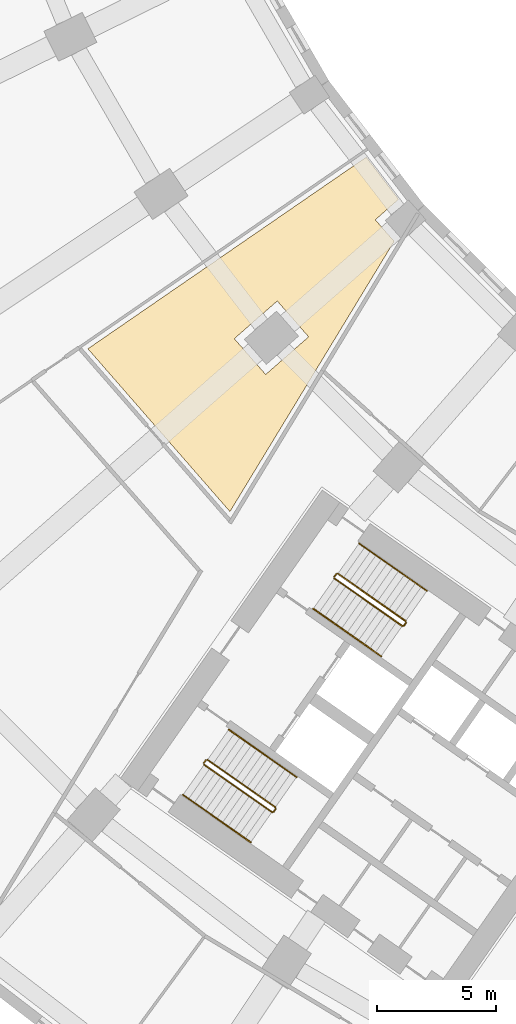
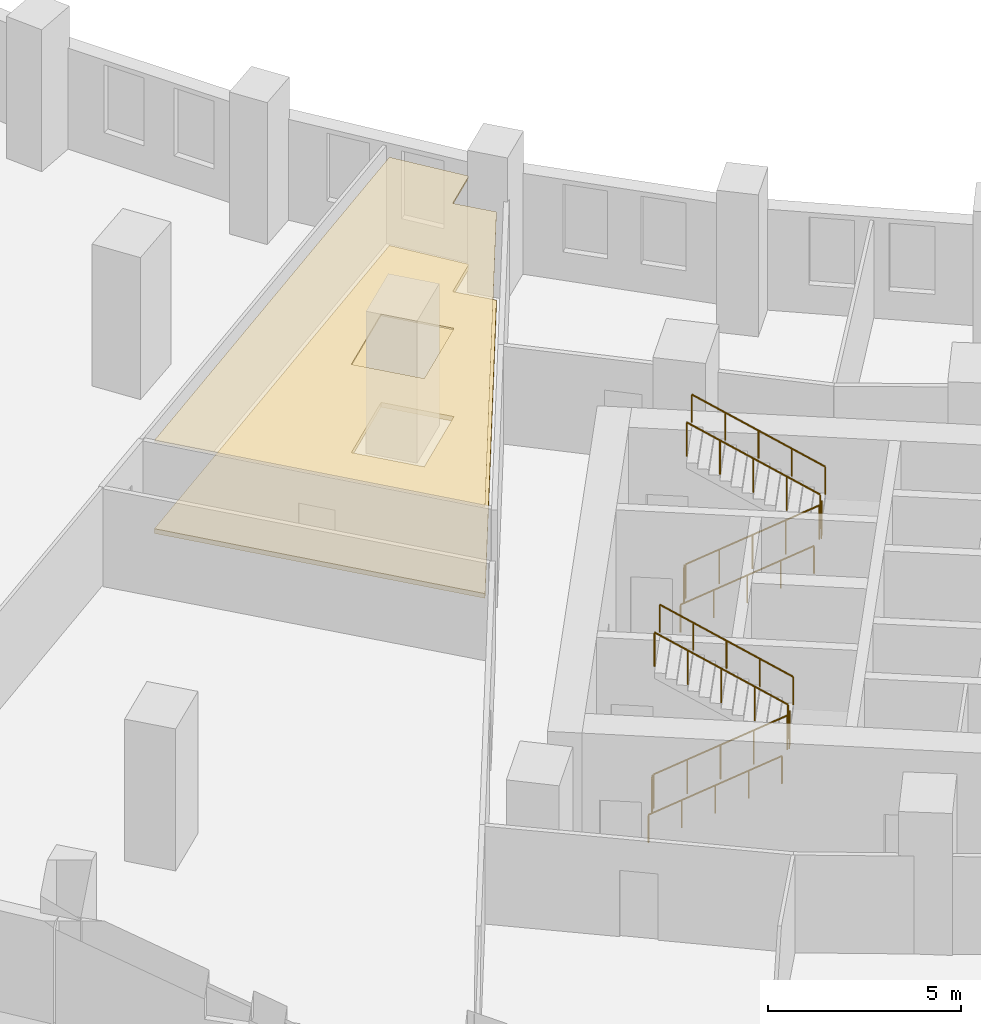
# One storey, part 16 of 19: 10 railings, 2 coverings.
"""IFC4 building model written with IfcOpenShell, lengths in metres."""

from ifc_helpers import new_model, si_unit, direction, frame, origin, origin_2d, place, context, subcontext, project, spatial, polyline, circle, outline, extrude, material, layer, layer_set, type_object, element, save


model = new_model("IFC4")

# Units and contexts
model_context = context("Model", 3, precision=1e-05, world=origin(), true_north=direction((0.0, 1.0)))
body_context = subcontext(model_context, "Body", "Model", "MODEL_VIEW")
ifc_project = project(units=[si_unit("LENGTHUNIT", "METRE"), si_unit("AREAUNIT", "SQUARE_METRE"), si_unit("VOLUMEUNIT", "CUBIC_METRE"), si_unit("PLANEANGLEUNIT", "RADIAN"), si_unit("MASSUNIT", "GRAM", prefix="KILO")], contexts=[model_context])

# Site, building, storey
site_placement = place(None, origin())
site = spatial("IfcSite", under=ifc_project, at=site_placement, CompositionType="ELEMENT")
building_placement = place(site_placement, origin())
building = spatial("IfcBuilding", under=site, at=building_placement, Name="Qamariyya Broadcast Tower", CompositionType="ELEMENT")
storey_placement = place(building_placement, frame((0.0, 0.0, 36.0)))
storey = spatial("IfcBuildingStorey", under=building, at=storey_placement, Name="L05", CompositionType="ELEMENT", Elevation=36.0)

# Covering
ifc_material_1 = material(Name="Raised access floor")
ifc_layer_1 = layer(ifc_material_1, 0.14990234375)
ifc_layer_set_1 = layer_set([ifc_layer_1], Name="Raised access floor 150")
covering_type_1 = type_object("IfcCoveringType", Name="Raised access floor 150", PredefinedType="FLOORING", material=ifc_layer_set_1)
covering_1_placement = place(storey_placement, origin())
element("IfcCovering", 1, at=covering_1_placement, inside=storey, type_object=covering_type_1, Name="Flooring L05-F04", PredefinedType="FLOORING", context=body_context, shape_type="SweptSolid", body=[
    extrude(outline(polyline([(-51.509033203125, -38.87109375), (-39.809814453125, -30.817138671875), (-38.449951171875, -32.589111328125), (-39.4306640625, -33.44921875), (-38.63818359375, -34.3525390625), (-45.539306640625, -45.7138671875), (-51.509033203125, -38.87109375)]), holes=[polyline([(-43.5517578125, -36.86376953125), (-45.356201171875, -38.4462890625), (-44.03759765625, -39.949951171875), (-42.233154296875, -38.367431640625), (-43.5517578125, -36.86376953125)])]), origin(), (0.0, 0.0, 1.0), 0.14990234375),
])

# Railings
ifc_material_2 = material(Name="Painted steel", Category="steel")
railing_type_1 = type_object("IfcRailingType", Name="Stair guard", PredefinedType="GUARDRAIL", material=ifc_material_2)
railing_1_placement = place(storey_placement, frame((-41.146728515625, -48.52490234375, 0.173095703125)))
element("IfcRailing", 2, at=railing_1_placement, inside=storey, type_object=railing_type_1, Name="L05 ST-W2 stair guard 1", PredefinedType="GUARDRAIL", context=body_context, shape_type="SweptSolid", body=[
    extrude(circle(Radius=0.02392578125, at=origin_2d()), frame((0.0, 0.0, 1.076171875), z_axis=(0.703423072377, -0.49252265477, 0.512462111562), x_axis=(0.573561211868, 0.819162704376, 0.0)), (0.0, 0.0, 1.0), 4.052734375),
    extrude(circle(Radius=0.02392578125, at=origin_2d()), frame((2.850830078125, -1.99609375, 3.15283203125), z_axis=(0.984363469884, 0.176149252506, 0.0), x_axis=(-0.176149252506, 0.984363469884, 0.0)), (0.0, 0.0, 1.0), 0.07080078125),
    extrude(circle(Radius=0.02392578125, at=origin_2d()), frame((2.92041015625, -1.983642578125, 3.15283203125), z_axis=(0.573353020881, 0.819308436089, 0.0), x_axis=(-0.819308436089, 0.573353020881, 0.0)), (0.0, 0.0, 1.0), 0.14990234375),
    extrude(circle(Radius=0.02099609375, at=origin_2d()), origin(), (0.0, 0.0, 1.0), 1.052001953125),
    extrude(circle(Radius=0.02099609375, at=origin_2d()), frame((0.712646484375, -0.4990234375, 0.519287109375)), (0.0, 0.0, 1.0), 1.052001953125),
    extrude(circle(Radius=0.02099609375, at=origin_2d()), frame((1.42529296875, -0.998046875, 1.03857421875)), (0.0, 0.0, 1.0), 1.052001953125),
    extrude(circle(Radius=0.02099609375, at=origin_2d()), frame((2.13818359375, -1.4970703125, 1.5576171875)), (0.0, 0.0, 1.0), 1.052001953125),
    extrude(circle(Radius=0.02099609375, at=origin_2d()), frame((2.850830078125, -1.99609375, 2.076904296875)), (0.0, 0.0, 1.0), 1.052001953125),
    extrude(circle(Radius=0.02099609375, at=origin_2d()), frame((2.92041015625, -1.983642578125, 2.076904296875)), (0.0, 0.0, 1.0), 1.052001953125),
    extrude(circle(Radius=0.02099609375, at=origin_2d()), frame((3.00634765625, -1.86083984375, 2.076904296875)), (0.0, 0.0, 1.0), 1.052001953125),
])
railing_2_placement = place(storey_placement, frame((-38.152587890625, -50.316162109375, 2.423095703125)))
element("IfcRailing", 3, at=railing_2_placement, inside=storey, type_object=railing_type_1, Name="L05 ST-W2 stair guard 2", PredefinedType="GUARDRAIL", context=body_context, shape_type="SweptSolid", body=[
    extrude(circle(Radius=0.02392578125, at=origin_2d()), frame((0.0, 0.0, 1.076171875), z_axis=(-0.703392637411, 0.492543525477, 0.512483827206), x_axis=(-0.573594173421, -0.819139624372, 0.0)), (0.0, 0.0, 1.0), 4.052734375),
    extrude(circle(Radius=0.02099609375, at=origin_2d()), origin(), (0.0, 0.0, 1.0), 1.052001953125),
    extrude(circle(Radius=0.02099609375, at=origin_2d()), frame((-0.712646484375, 0.4990234375, 0.519287109375)), (0.0, 0.0, 1.0), 1.052001953125),
    extrude(circle(Radius=0.02099609375, at=origin_2d()), frame((-1.42529296875, 0.998046875, 1.03857421875)), (0.0, 0.0, 1.0), 1.052001953125),
    extrude(circle(Radius=0.02099609375, at=origin_2d()), frame((-2.137939453125, 1.4970703125, 1.5576171875)), (0.0, 0.0, 1.0), 1.052001953125),
    extrude(circle(Radius=0.02099609375, at=origin_2d()), frame((-2.8505859375, 1.99609375, 2.076904296875)), (0.0, 0.0, 1.0), 1.052001953125),
])
railing_3_placement = place(storey_placement, frame((-41.158935546875, -48.455322265625, 0.0)))
element("IfcRailing", 4, at=railing_3_placement, inside=storey, type_object=railing_type_1, Name="L05 ST-W2 stair guard 3", PredefinedType="GUARDRAIL", context=body_context, shape_type="SweptSolid", body=[
    extrude(circle(Radius=0.02392578125, at=origin_2d()), frame((0.0, 0.0, 1.076171875), z_axis=(0.572588637393, 0.819842821722, 0.0), x_axis=(-0.819842821722, 0.572588637393, 0.0)), (0.0, 0.0, 1.0), 0.150146484375),
    extrude(circle(Radius=0.02099609375, at=origin_2d()), origin(), (0.0, 0.0, 1.0), 1.052001953125),
    extrude(circle(Radius=0.02099609375, at=origin_2d()), frame((0.0859375, 0.123046875, 0.0)), (0.0, 0.0, 1.0), 1.052001953125),
])
railing_4_placement = place(storey_placement, frame((-46.624267578125, -56.34765625, 0.173095703125)))
element("IfcRailing", 5, at=railing_4_placement, inside=storey, type_object=railing_type_1, Name="L05 ST-W1 stair guard 1", PredefinedType="GUARDRAIL", context=body_context, shape_type="SweptSolid", body=[
    extrude(circle(Radius=0.02392578125, at=origin_2d()), frame((0.0, 0.0, 1.076171875), z_axis=(0.703392637411, -0.492543525477, 0.512483827206), x_axis=(0.573594173421, 0.819139624372, 0.0)), (0.0, 0.0, 1.0), 4.052734375),
    extrude(circle(Radius=0.02392578125, at=origin_2d()), frame((2.8505859375, -1.99609375, 3.15283203125), z_axis=(0.984957024646, 0.172799478008, 0.0), x_axis=(-0.172799478008, 0.984957024646, 0.0)), (0.0, 0.0, 1.0), 0.070556640625),
    extrude(circle(Radius=0.02392578125, at=origin_2d()), frame((2.920166015625, -1.98388671875, 3.15283203125), z_axis=(0.574444878118, 0.818543268254, 0.0), x_axis=(-0.818543268254, 0.574444878118, 0.0)), (0.0, 0.0, 1.0), 0.150146484375),
    extrude(circle(Radius=0.02099609375, at=origin_2d()), origin(), (0.0, 0.0, 1.0), 1.052001953125),
    extrude(circle(Radius=0.02099609375, at=origin_2d()), frame((0.712646484375, -0.4990234375, 0.519287109375)), (0.0, 0.0, 1.0), 1.052001953125),
    extrude(circle(Radius=0.02099609375, at=origin_2d()), frame((1.42529296875, -0.998046875, 1.03857421875)), (0.0, 0.0, 1.0), 1.052001953125),
    extrude(circle(Radius=0.02099609375, at=origin_2d()), frame((2.137939453125, -1.4970703125, 1.5576171875)), (0.0, 0.0, 1.0), 1.052001953125),
    extrude(circle(Radius=0.02099609375, at=origin_2d()), frame((2.8505859375, -1.99609375, 2.076904296875)), (0.0, 0.0, 1.0), 1.052001953125),
    extrude(circle(Radius=0.02099609375, at=origin_2d()), frame((2.920166015625, -1.98388671875, 2.076904296875)), (0.0, 0.0, 1.0), 1.052001953125),
    extrude(circle(Radius=0.02099609375, at=origin_2d()), frame((3.00634765625, -1.861083984375, 2.076904296875)), (0.0, 0.0, 1.0), 1.052001953125),
])
railing_5_placement = place(storey_placement, frame((-43.63037109375, -58.138916015625, 2.423095703125)))
element("IfcRailing", 6, at=railing_5_placement, inside=storey, type_object=railing_type_1, Name="L05 ST-W1 stair guard 2", PredefinedType="GUARDRAIL", context=body_context, shape_type="SweptSolid", body=[
    extrude(circle(Radius=0.02392578125, at=origin_2d()), frame((0.0, 0.0, 1.076171875), z_axis=(-0.703413508203, 0.492497895646, 0.512499033426), x_axis=(-0.57354709673, -0.81917258733, 0.0)), (0.0, 0.0, 1.0), 4.052490234375),
    extrude(circle(Radius=0.02099609375, at=origin_2d()), origin(), (0.0, 0.0, 1.0), 1.052001953125),
    extrude(circle(Radius=0.02099609375, at=origin_2d()), frame((-0.712646484375, 0.4990234375, 0.519287109375)), (0.0, 0.0, 1.0), 1.052001953125),
    extrude(circle(Radius=0.02099609375, at=origin_2d()), frame((-1.42529296875, 0.998046875, 1.03857421875)), (0.0, 0.0, 1.0), 1.052001953125),
    extrude(circle(Radius=0.02099609375, at=origin_2d()), frame((-2.137939453125, 1.496826171875, 1.5576171875)), (0.0, 0.0, 1.0), 1.052001953125),
    extrude(circle(Radius=0.02099609375, at=origin_2d()), frame((-2.8505859375, 1.995849609375, 2.076904296875)), (0.0, 0.0, 1.0), 1.052001953125),
])
railing_6_placement = place(storey_placement, frame((-46.63671875, -56.278076171875, 0.0)))
element("IfcRailing", 7, at=railing_6_placement, inside=storey, type_object=railing_type_1, Name="L05 ST-W1 stair guard 3", PredefinedType="GUARDRAIL", context=body_context, shape_type="SweptSolid", body=[
    extrude(circle(Radius=0.02392578125, at=origin_2d()), frame((0.0, 0.0, 1.076171875), z_axis=(0.574444878118, 0.818543268254, 0.0), x_axis=(-0.818543268254, 0.574444878118, 0.0)), (0.0, 0.0, 1.0), 0.150146484375),
    extrude(circle(Radius=0.02099609375, at=origin_2d()), origin(), (0.0, 0.0, 1.0), 1.052001953125),
    extrude(circle(Radius=0.02099609375, at=origin_2d()), frame((0.086181640625, 0.122802734375, 0.0)), (0.0, 0.0, 1.0), 1.052001953125),
])
ifc_material_3 = material(Name="Stainless steel", Category="steel")
railing_type_2 = type_object("IfcRailingType", Name="Stair handrail", PredefinedType="HANDRAIL", material=ifc_material_3)
railing_7_placement = place(storey_placement, frame((-42.03564453125, -49.79443359375, 0.173095703125)))
element("IfcRailing", 8, at=railing_7_placement, inside=storey, type_object=railing_type_2, Name="L05 ST-W2 stair handrail 1", PredefinedType="HANDRAIL", context=body_context, shape_type="SweptSolid", body=[
    extrude(circle(Radius=0.02392578125, at=origin_2d()), frame((0.0, 0.0, 0.8759765625), z_axis=(0.703392637411, -0.492543525477, 0.512483827206), x_axis=(0.573594173421, 0.819139624372, 0.0)), (0.0, 0.0, 1.0), 4.052734375),
    extrude(circle(Radius=0.02099609375, at=origin_2d()), origin(), (0.0, 0.0, 1.0), 0.851806640625),
    extrude(circle(Radius=0.02099609375, at=origin_2d()), frame((0.712646484375, -0.4990234375, 0.519287109375)), (0.0, 0.0, 1.0), 0.851806640625),
    extrude(circle(Radius=0.02099609375, at=origin_2d()), frame((1.42529296875, -0.998046875, 1.03857421875)), (0.0, 0.0, 1.0), 0.851806640625),
    extrude(circle(Radius=0.02099609375, at=origin_2d()), frame((2.137939453125, -1.4970703125, 1.5576171875)), (0.0, 0.0, 1.0), 0.851806640625),
    extrude(circle(Radius=0.02099609375, at=origin_2d()), frame((2.8505859375, -1.99609375, 2.076904296875)), (0.0, 0.0, 1.0), 0.851806640625),
])
railing_8_placement = place(storey_placement, frame((-37.263671875, -49.04638671875, 2.423095703125)))
element("IfcRailing", 9, at=railing_8_placement, inside=storey, type_object=railing_type_2, Name="L05 ST-W2 stair handrail 2", PredefinedType="HANDRAIL", context=body_context, shape_type="SweptSolid", body=[
    extrude(circle(Radius=0.02392578125, at=origin_2d()), frame((0.0, 0.0, 0.8759765625), z_axis=(-0.703392637411, 0.492543525477, 0.512483827206), x_axis=(-0.573594173421, -0.819139624372, 0.0)), (0.0, 0.0, 1.0), 4.052734375),
    extrude(circle(Radius=0.02099609375, at=origin_2d()), origin(), (0.0, 0.0, 1.0), 0.851806640625),
    extrude(circle(Radius=0.02099609375, at=origin_2d()), frame((-0.712646484375, 0.4990234375, 0.519287109375)), (0.0, 0.0, 1.0), 0.851806640625),
    extrude(circle(Radius=0.02099609375, at=origin_2d()), frame((-1.42529296875, 0.998046875, 1.03857421875)), (0.0, 0.0, 1.0), 0.851806640625),
    extrude(circle(Radius=0.02099609375, at=origin_2d()), frame((-2.137939453125, 1.4970703125, 1.5576171875)), (0.0, 0.0, 1.0), 0.851806640625),
    extrude(circle(Radius=0.02099609375, at=origin_2d()), frame((-2.8505859375, 1.99609375, 2.076904296875)), (0.0, 0.0, 1.0), 0.851806640625),
])
railing_9_placement = place(storey_placement, frame((-47.513427734375, -57.617431640625, 0.173095703125)))
element("IfcRailing", 10, at=railing_9_placement, inside=storey, type_object=railing_type_2, Name="L05 ST-W1 stair handrail 1", PredefinedType="HANDRAIL", context=body_context, shape_type="SweptSolid", body=[
    extrude(circle(Radius=0.02392578125, at=origin_2d()), frame((0.0, 0.0, 0.8759765625), z_axis=(0.703423072377, -0.49252265477, 0.512462111562), x_axis=(0.573561211868, 0.819162704376, 0.0)), (0.0, 0.0, 1.0), 4.052734375),
    extrude(circle(Radius=0.02099609375, at=origin_2d()), origin(), (0.0, 0.0, 1.0), 0.851806640625),
    extrude(circle(Radius=0.02099609375, at=origin_2d()), frame((0.712646484375, -0.4990234375, 0.519287109375)), (0.0, 0.0, 1.0), 0.851806640625),
    extrude(circle(Radius=0.02099609375, at=origin_2d()), frame((1.42529296875, -0.998046875, 1.03857421875)), (0.0, 0.0, 1.0), 0.851806640625),
    extrude(circle(Radius=0.02099609375, at=origin_2d()), frame((2.13818359375, -1.4970703125, 1.5576171875)), (0.0, 0.0, 1.0), 0.851806640625),
    extrude(circle(Radius=0.02099609375, at=origin_2d()), frame((2.850830078125, -1.99609375, 2.076904296875)), (0.0, 0.0, 1.0), 0.851806640625),
])
railing_10_placement = place(storey_placement, frame((-42.7412109375, -56.869384765625, 2.423095703125)))
element("IfcRailing", 11, at=railing_10_placement, inside=storey, type_object=railing_type_2, Name="L05 ST-W1 stair handrail 2", PredefinedType="HANDRAIL", context=body_context, shape_type="SweptSolid", body=[
    extrude(circle(Radius=0.02392578125, at=origin_2d()), frame((0.0, 0.0, 0.8759765625), z_axis=(-0.703392637411, 0.492543525477, 0.512483827206), x_axis=(-0.573594173421, -0.819139624372, 0.0)), (0.0, 0.0, 1.0), 4.052734375),
    extrude(circle(Radius=0.02099609375, at=origin_2d()), origin(), (0.0, 0.0, 1.0), 0.851806640625),
    extrude(circle(Radius=0.02099609375, at=origin_2d()), frame((-0.712646484375, 0.4990234375, 0.519287109375)), (0.0, 0.0, 1.0), 0.851806640625),
    extrude(circle(Radius=0.02099609375, at=origin_2d()), frame((-1.42529296875, 0.998046875, 1.03857421875)), (0.0, 0.0, 1.0), 0.851806640625),
    extrude(circle(Radius=0.02099609375, at=origin_2d()), frame((-2.137939453125, 1.4970703125, 1.5576171875)), (0.0, 0.0, 1.0), 0.851806640625),
    extrude(circle(Radius=0.02099609375, at=origin_2d()), frame((-2.8505859375, 1.99609375, 2.076904296875)), (0.0, 0.0, 1.0), 0.851806640625),
])

# Covering
ifc_material_4 = material(Name="Perforated plasterboard ceiling")
ifc_layer_2 = layer(ifc_material_4, 0.06005859375)
ifc_layer_set_2 = layer_set([ifc_layer_2], Name="Suspended acoustic ceiling 60")
covering_type_2 = type_object("IfcCoveringType", Name="Suspended acoustic ceiling 60", PredefinedType="CEILING", material=ifc_layer_set_2)
covering_2_placement = place(storey_placement, frame((0.0, 0.0, 2.889892578125)))
element("IfcCovering", 12, at=covering_2_placement, inside=storey, type_object=covering_type_2, Name="Ceiling L05-C04", PredefinedType="CEILING", context=body_context, shape_type="SweptSolid", body=[
    extrude(outline(polyline([(-51.509033203125, -38.87109375), (-39.809814453125, -30.817138671875), (-38.449951171875, -32.589111328125), (-39.4306640625, -33.44921875), (-38.63818359375, -34.3525390625), (-45.539306640625, -45.7138671875), (-51.509033203125, -38.87109375)]), holes=[polyline([(-43.5517578125, -36.86376953125), (-45.356201171875, -38.4462890625), (-44.03759765625, -39.949951171875), (-42.233154296875, -38.367431640625), (-43.5517578125, -36.86376953125)])]), origin(), (0.0, 0.0, 1.0), 0.06005859375),
])

save(model, "model.ifc")
